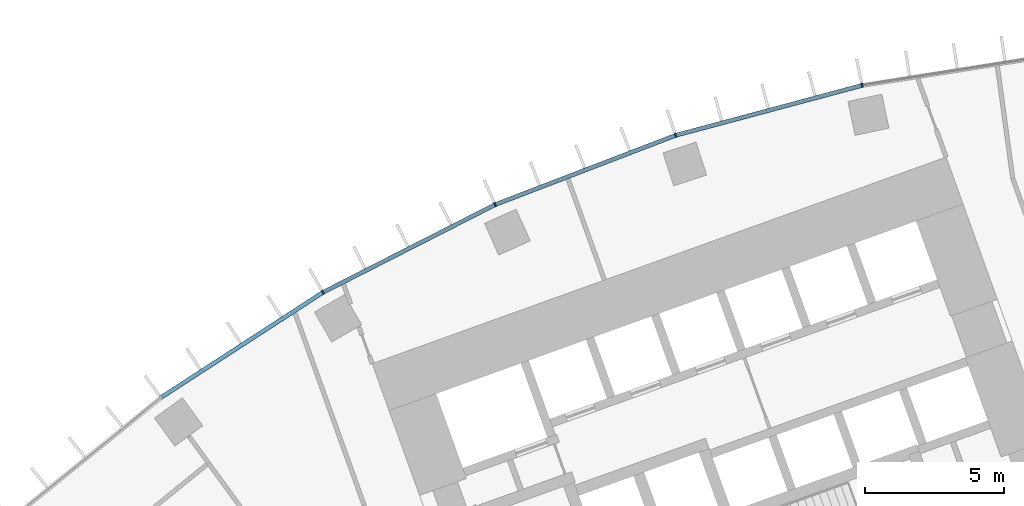
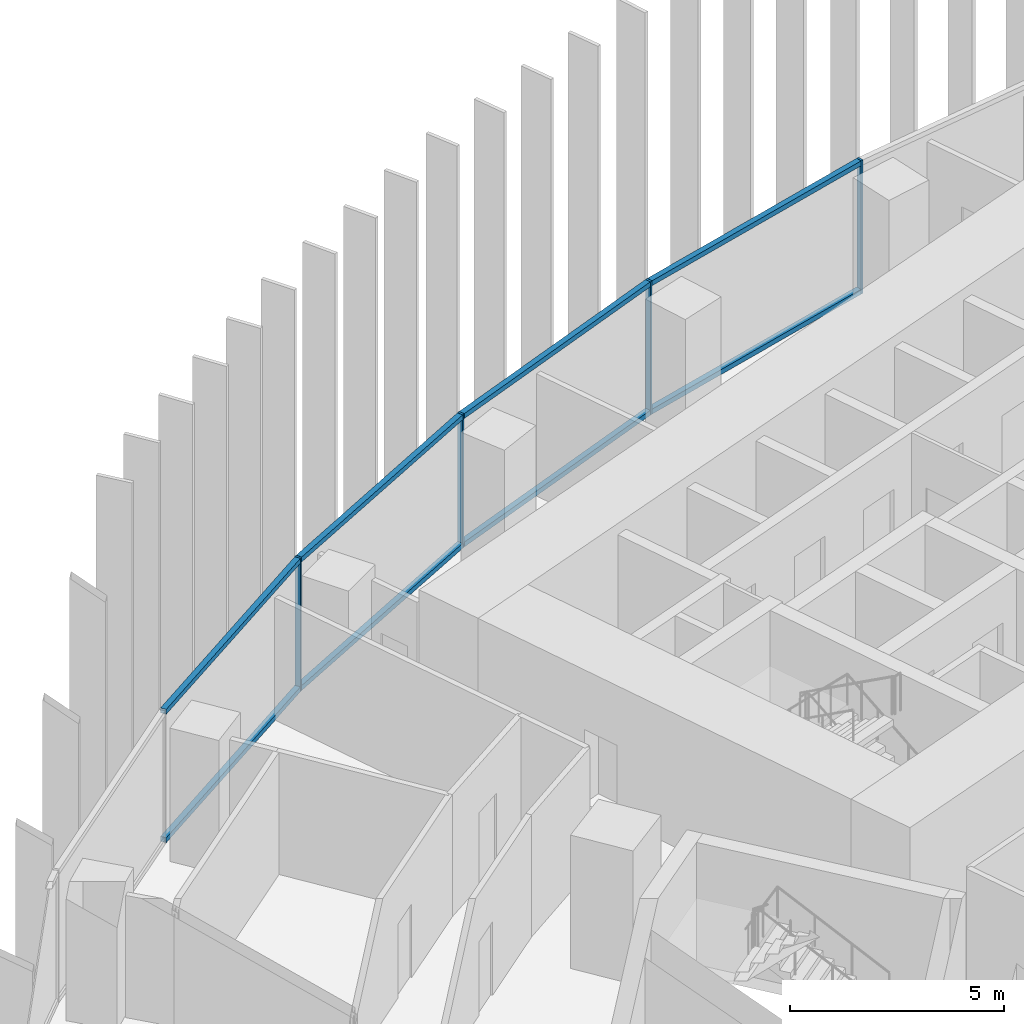
# One storey, part 7 of 25: 12 members, 1 element without a shape of its own.
"""IFC4 building model written with IfcOpenShell, lengths in metres."""

from ifc_helpers import new_model, si_unit, direction, frame, origin, origin_2d, place, context, subcontext, project, spatial, rectangle, extrude, material, layer, layer_set, material_profile, profile_set, type_object, element, aggregate, save


model = new_model("IFC4")

# Units and contexts
model_context = context("Model", 3, precision=1e-05, world=origin(), true_north=direction((0.0, 1.0)))
body_context = subcontext(model_context, "Body", "Model", "MODEL_VIEW")
ifc_project = project(units=[si_unit("LENGTHUNIT", "METRE"), si_unit("AREAUNIT", "SQUARE_METRE"), si_unit("VOLUMEUNIT", "CUBIC_METRE"), si_unit("PLANEANGLEUNIT", "RADIAN"), si_unit("MASSUNIT", "GRAM", prefix="KILO")], contexts=[model_context])

# Site, building, storey
site_placement = place(None, origin())
site = spatial("IfcSite", under=ifc_project, at=site_placement, CompositionType="ELEMENT")
building_placement = place(site_placement, origin())
building = spatial("IfcBuilding", under=site, at=building_placement, Name="Stone Belt Terrace Tower", CompositionType="ELEMENT")
storey_placement = place(building_placement, frame((0.0, 0.0, 52.800048828125)))
storey = spatial("IfcBuildingStorey", under=building, at=storey_placement, Name="L12", CompositionType="ELEMENT", Elevation=52.800048828125)

# Curtain wall, members
ifc_material = material(Name="Aluminium 6063-T6 anodised frame", Category="aluminium")
ifc_layer = layer(ifc_material, 0.14990234375)
ifc_layer_set = layer_set([ifc_layer], Name="CW-A unitised convex-face curtain wall")
curtain_wall_type = type_object("IfcCurtainWallType", Name="CW-A unitised convex-face curtain wall", PredefinedType="NOTDEFINED", material=ifc_layer_set)
curtain_wall_placement = place(storey_placement, origin())
curtain_wall = element("IfcCurtainWall", 1, at=curtain_wall_placement, inside=storey, type_object=curtain_wall_type, Name="CW-A convex face L12", PredefinedType="NOTDEFINED")
ifc_material_profile_1 = material_profile(ifc_material, rectangle(XDim=0.14990234375, YDim=0.06005859375, at=origin_2d()), Name="Aluminium 6063-T6 60x150")
ifc_profile_set_1 = profile_set([ifc_material_profile_1], Name="Aluminium 6063-T6 anodised frame")
member_type_1 = type_object("IfcMemberType", Name="CW-A mullion 60 x 150", PredefinedType="MULLION", material=ifc_profile_set_1)
member_1_placement = place(storey_placement, frame((-13.841796875, 65.120361328125, 0.0), z_axis=(0.0, 0.0, 1.0), x_axis=(0.207911690818, -0.978147600734, 0.0)))
member_1 = element("IfcMember", 2, at=member_1_placement, type_object=member_type_1, Name="CW-A mullion 12", PredefinedType="MULLION", context=body_context, shape_type="SweptSolid", body=[
    extrude(rectangle(XDim=0.14990234375, YDim=0.06005859375, at=origin_2d()), origin(), (0.0, 0.0, 1.0), 3.800048828125),
])
member_2_placement = place(storey_placement, frame((-20.57275390625, 63.316650390625, 0.0), z_axis=(0.0, 0.0, 1.0), x_axis=(0.309016994375, -0.951056516295, 0.0)))
member_2 = element("IfcMember", 3, at=member_2_placement, type_object=member_type_1, Name="CW-A mullion 13", PredefinedType="MULLION", context=body_context, shape_type="SweptSolid", body=[
    extrude(rectangle(XDim=0.14990234375, YDim=0.06005859375, at=origin_2d()), origin(), (0.0, 0.0, 1.0), 3.800048828125),
])
member_3_placement = place(storey_placement, frame((-27.07861328125, 60.8193359375, 0.0), z_axis=(0.0, 0.0, 1.0), x_axis=(0.406736643076, -0.913545457643, 0.0)))
member_3 = element("IfcMember", 4, at=member_3_placement, type_object=member_type_1, Name="CW-A mullion 14", PredefinedType="MULLION", context=body_context, shape_type="SweptSolid", body=[
    extrude(rectangle(XDim=0.14990234375, YDim=0.06005859375, at=origin_2d()), origin(), (0.0, 0.0, 1.0), 3.800048828125),
])
member_4_placement = place(storey_placement, frame((-33.28759765625, 57.65576171875, 0.0), z_axis=(0.0, 0.0, 1.0), x_axis=(0.5, -0.866025403784, 0.0)))
member_4 = element("IfcMember", 5, at=member_4_placement, type_object=member_type_1, Name="CW-A mullion 15", PredefinedType="MULLION", context=body_context, shape_type="SweptSolid", body=[
    extrude(rectangle(XDim=0.14990234375, YDim=0.06005859375, at=origin_2d()), origin(), (0.0, 0.0, 1.0), 3.800048828125),
])
ifc_material_profile_2 = material_profile(ifc_material, rectangle(XDim=0.14990234375, YDim=0.139892578125, at=origin_2d()), Name="Aluminium 6063-T6 150x140")
ifc_profile_set_2 = profile_set([ifc_material_profile_2], Name="Aluminium 6063-T6 anodised frame")
member_type_2 = type_object("IfcMemberType", Name="CW-A transom 140 x 150", PredefinedType="USERDEFINED", material=ifc_profile_set_2)
member_5_placement = place(storey_placement, frame((-13.87451171875, 65.111572265625, 0.070068359375), z_axis=(-0.965921835863, -0.258833937117, 0.0), x_axis=(0.258833937117, -0.965921835863, 0.0)))
member_5 = element("IfcMember", 6, at=member_5_placement, type_object=member_type_2, Name="CW-A transom 12.1", ObjectType="TRANSOM", PredefinedType="USERDEFINED", context=body_context, shape_type="SweptSolid", body=[
    extrude(rectangle(XDim=0.14990234375, YDim=0.139892578125, at=origin_2d()), origin(), (0.0, 0.0, 1.0), 6.900634765625),
])
member_6_placement = place(storey_placement, frame((-13.87451171875, 65.111572265625, 3.72998046875), z_axis=(-0.965921835863, -0.258833937117, 0.0), x_axis=(0.258833937117, -0.965921835863, 0.0)))
member_6 = element("IfcMember", 7, at=member_6_placement, type_object=member_type_2, Name="CW-A transom 12.2", ObjectType="TRANSOM", PredefinedType="USERDEFINED", context=body_context, shape_type="SweptSolid", body=[
    extrude(rectangle(XDim=0.14990234375, YDim=0.139892578125, at=origin_2d()), origin(), (0.0, 0.0, 1.0), 6.900634765625),
])
member_7_placement = place(storey_placement, frame((-20.6044921875, 63.304443359375, 0.070068359375), z_axis=(-0.933585210269, -0.358355487146, 0.0), x_axis=(0.358355487146, -0.933585210269, 0.0)))
member_7 = element("IfcMember", 8, at=member_7_placement, type_object=member_type_2, Name="CW-A transom 13.1", ObjectType="TRANSOM", PredefinedType="USERDEFINED", context=body_context, shape_type="SweptSolid", body=[
    extrude(rectangle(XDim=0.14990234375, YDim=0.139892578125, at=origin_2d()), origin(), (0.0, 0.0, 1.0), 6.900634765625),
])
member_8_placement = place(storey_placement, frame((-20.6044921875, 63.304443359375, 3.72998046875), z_axis=(-0.933585210269, -0.358355487146, 0.0), x_axis=(0.358355487146, -0.933585210269, 0.0)))
member_8 = element("IfcMember", 9, at=member_8_placement, type_object=member_type_2, Name="CW-A transom 13.2", ObjectType="TRANSOM", PredefinedType="USERDEFINED", context=body_context, shape_type="SweptSolid", body=[
    extrude(rectangle(XDim=0.14990234375, YDim=0.139892578125, at=origin_2d()), origin(), (0.0, 0.0, 1.0), 6.900634765625),
])
member_9_placement = place(storey_placement, frame((-27.108642578125, 60.803955078125, 0.070068359375), z_axis=(-0.891012226264, -0.453979308613, 0.0), x_axis=(0.453979308613, -0.891012226264, 0.0)))
member_9 = element("IfcMember", 10, at=member_9_placement, type_object=member_type_2, Name="CW-A transom 14.1", ObjectType="TRANSOM", PredefinedType="USERDEFINED", context=body_context, shape_type="SweptSolid", body=[
    extrude(rectangle(XDim=0.14990234375, YDim=0.139892578125, at=origin_2d()), origin(), (0.0, 0.0, 1.0), 6.90087890625),
])
member_10_placement = place(storey_placement, frame((-27.108642578125, 60.803955078125, 3.72998046875), z_axis=(-0.891012226264, -0.453979308613, 0.0), x_axis=(0.453979308613, -0.891012226264, 0.0)))
member_10 = element("IfcMember", 11, at=member_10_placement, type_object=member_type_2, Name="CW-A transom 14.2", ObjectType="TRANSOM", PredefinedType="USERDEFINED", context=body_context, shape_type="SweptSolid", body=[
    extrude(rectangle(XDim=0.14990234375, YDim=0.139892578125, at=origin_2d()), origin(), (0.0, 0.0, 1.0), 6.90087890625),
])
member_11_placement = place(storey_placement, frame((-33.31591796875, 57.63720703125, 0.070068359375), z_axis=(-0.83868440714, -0.544617723931, 0.0), x_axis=(0.544617723931, -0.83868440714, 0.0)))
member_11 = element("IfcMember", 12, at=member_11_placement, type_object=member_type_2, Name="CW-A transom 15.1", ObjectType="TRANSOM", PredefinedType="USERDEFINED", context=body_context, shape_type="SweptSolid", body=[
    extrude(rectangle(XDim=0.14990234375, YDim=0.139892578125, at=origin_2d()), origin(), (0.0, 0.0, 1.0), 6.90087890625),
])
member_12_placement = place(storey_placement, frame((-33.31591796875, 57.63720703125, 3.72998046875), z_axis=(-0.83868440714, -0.544617723931, 0.0), x_axis=(0.544617723931, -0.83868440714, 0.0)))
member_12 = element("IfcMember", 13, at=member_12_placement, type_object=member_type_2, Name="CW-A transom 15.2", ObjectType="TRANSOM", PredefinedType="USERDEFINED", context=body_context, shape_type="SweptSolid", body=[
    extrude(rectangle(XDim=0.14990234375, YDim=0.139892578125, at=origin_2d()), origin(), (0.0, 0.0, 1.0), 6.90087890625),
])
aggregate(curtain_wall, [member_1, member_2, member_3, member_4, member_5, member_6, member_7, member_8, member_9, member_10, member_11, member_12])

save(model, "model.ifc")
